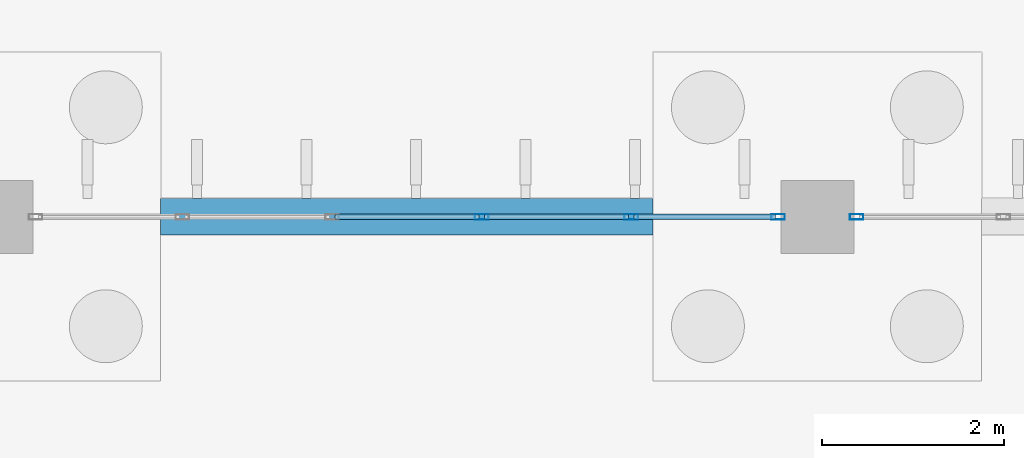
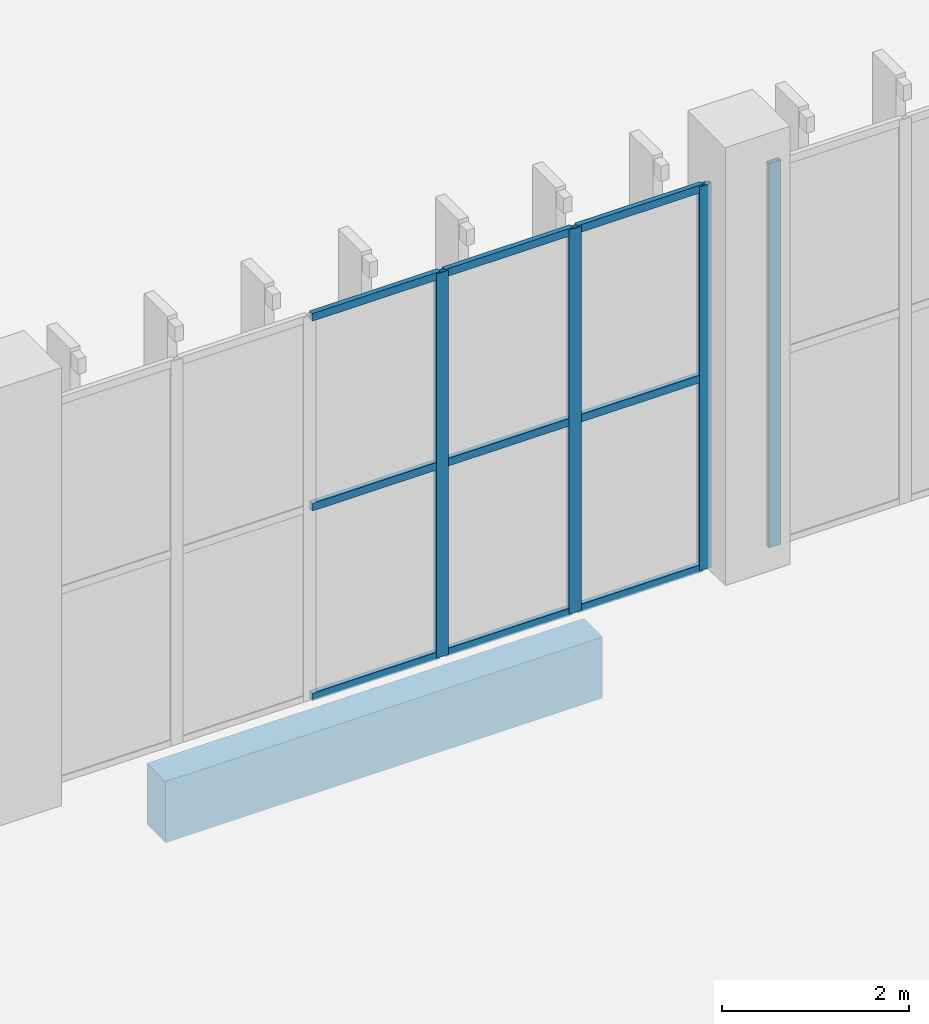
# One storey, part 53 of 198: 13 members, 1 beam, 2 elements without a shape of their own.
"""IFC4 building model written with IfcOpenShell, lengths in metres."""

from ifc_helpers import new_model, si_unit, direction, frame, origin, origin_2d, place, context, subcontext, project, spatial, rectangle, hollow_rectangle, extrude, material, layer, layer_set, material_profile, profile_set, type_object, element, aggregate, save


model = new_model("IFC4")

# Units and contexts
model_context = context("Model", 3, precision=1e-05, world=origin(), true_north=direction((0.0, 1.0)))
body_context = subcontext(model_context, "Body", "Model", "MODEL_VIEW")
ifc_project = project(units=[si_unit("LENGTHUNIT", "METRE"), si_unit("AREAUNIT", "SQUARE_METRE"), si_unit("VOLUMEUNIT", "CUBIC_METRE"), si_unit("PLANEANGLEUNIT", "RADIAN"), si_unit("MASSUNIT", "GRAM", prefix="KILO")], contexts=[model_context])

# Site, building, storey
site_placement = place(None, origin())
site = spatial("IfcSite", under=ifc_project, at=site_placement, CompositionType="ELEMENT")
building_placement = place(site_placement, origin())
building = spatial("IfcBuilding", under=site, at=building_placement, Name="Opaline Strait Convention Centre", CompositionType="ELEMENT")
storey_placement = place(building_placement, origin())
storey = spatial("IfcBuildingStorey", under=building, at=storey_placement, Name="L00", CompositionType="ELEMENT", Elevation=0.0)

# Curtain wall, members
ifc_material_1 = material(Name="Aluminium 6063-T5", Category="aluminium")
ifc_layer = layer(ifc_material_1, 0.199951171875)
ifc_layer_set = layer_set([ifc_layer], Name="Aluminium 6063-T5")
curtain_wall_type = type_object("IfcCurtainWallType", Name="Unitised curtain wall 1640 module", PredefinedType="NOTDEFINED", material=ifc_layer_set)
curtain_wall_1_placement = place(storey_placement, origin())
curtain_wall_1 = element("IfcCurtainWall", 1, at=curtain_wall_1_placement, inside=storey, type_object=curtain_wall_type, Name="Ballroom north curtain wall L00 bay 4", PredefinedType="NOTDEFINED")
ifc_material_2 = material(Name="Aluminium alloy 6063", Category="aluminium")
ifc_material_profile_1 = material_profile(ifc_material_2, hollow_rectangle(XDim=0.06005859375, YDim=0.14990234375, WallThickness=0.00390625, at=origin_2d()), Name="MULLION 60x150x4")
ifc_profile_set_1 = profile_set([ifc_material_profile_1], Name="Aluminium alloy 6063")
member_type_1 = type_object("IfcMemberType", Name="Curtain wall mullion 60 x 150", PredefinedType="MULLION", material=ifc_profile_set_1)
member_1_placement = place(storey_placement, frame((320.320068359375, 72.0, 0.0), z_axis=(0.0, 0.0, 1.0), x_axis=(0.0, 1.0, 0.0)))
member_1 = element("IfcMember", 2, at=member_1_placement, type_object=member_type_1, Name="BG2 mullion 4", PredefinedType="MULLION", context=body_context, shape_type="SweptSolid", body=[
    extrude(hollow_rectangle(XDim=0.06005859375, YDim=0.14990234375, WallThickness=0.00390625, at=origin_2d()), origin(), (0.0, 0.0, 1.0), 5.02001953125),
])
member_2_placement = place(storey_placement, frame((321.9599609375, 72.0, 0.0), z_axis=(0.0, 0.0, 1.0), x_axis=(0.0, 1.0, 0.0)))
member_2 = element("IfcMember", 3, at=member_2_placement, type_object=member_type_1, Name="BG2 mullion 5", PredefinedType="MULLION", context=body_context, shape_type="SweptSolid", body=[
    extrude(hollow_rectangle(XDim=0.06005859375, YDim=0.14990234375, WallThickness=0.00390625, at=origin_2d()), origin(), (0.0, 0.0, 1.0), 5.02001953125),
])
member_3_placement = place(storey_placement, frame((323.570068359375, 72.0, 0.0), z_axis=(0.0, 0.0, 1.0), x_axis=(0.0, 1.0, 0.0)))
member_3 = element("IfcMember", 4, at=member_3_placement, type_object=member_type_1, Name="BG2 mullion 6", PredefinedType="MULLION", context=body_context, shape_type="SweptSolid", body=[
    extrude(hollow_rectangle(XDim=0.06005859375, YDim=0.14990234375, WallThickness=0.00390625, at=origin_2d()), origin(), (0.0, 0.0, 1.0), 5.02001953125),
])

# Curtain wall, member
curtain_wall_2_placement = place(storey_placement, origin())
curtain_wall_2 = element("IfcCurtainWall", 5, at=curtain_wall_2_placement, inside=storey, type_object=curtain_wall_type, Name="Ballroom north curtain wall L00 bay 5", PredefinedType="NOTDEFINED")
member_4_placement = place(storey_placement, frame((324.429931640625, 72.0, 0.0), z_axis=(0.0, 0.0, 1.0), x_axis=(0.0, 1.0, 0.0)))
member_4 = element("IfcMember", 6, at=member_4_placement, type_object=member_type_1, Name="BG2 mullion 1", PredefinedType="MULLION", context=body_context, shape_type="SweptSolid", body=[
    extrude(hollow_rectangle(XDim=0.06005859375, YDim=0.14990234375, WallThickness=0.00390625, at=origin_2d()), origin(), (0.0, 0.0, 1.0), 5.02001953125),
])
aggregate(curtain_wall_2, [member_4])

# Member
ifc_material_profile_2 = material_profile(ifc_material_2, hollow_rectangle(XDim=0.06005859375, YDim=0.10009765625, WallThickness=0.0029296875, at=origin_2d()), Name="TRANSOM 60x100x3")
ifc_profile_set_2 = profile_set([ifc_material_profile_2], Name="Aluminium alloy 6063")
member_type_2 = type_object("IfcMemberType", Name="Curtain wall transom 60 x 100", PredefinedType="USERDEFINED", material=ifc_profile_set_2)
member_5_placement = place(storey_placement, frame((318.7099609375, 72.0, 0.030029296875), z_axis=(1.0, 0.0, 0.0), x_axis=(0.0, 1.0, 0.0)))
member_5 = element("IfcMember", 7, at=member_5_placement, type_object=member_type_2, Name="BG2 transom 3.1", ObjectType="TRANSOM", PredefinedType="USERDEFINED", context=body_context, shape_type="SweptSolid", body=[
    extrude(hollow_rectangle(XDim=0.06005859375, YDim=0.10009765625, WallThickness=0.0029296875, at=origin_2d()), origin(), (0.0, 0.0, 1.0), 1.580078125),
])

member_6_placement = place(storey_placement, frame((318.7099609375, 72.0, 2.510009765625), z_axis=(1.0, 0.0, 0.0), x_axis=(0.0, 1.0, 0.0)))
member_6 = element("IfcMember", 8, at=member_6_placement, type_object=member_type_2, Name="BG2 transom 3.2", ObjectType="TRANSOM", PredefinedType="USERDEFINED", context=body_context, shape_type="SweptSolid", body=[
    extrude(hollow_rectangle(XDim=0.06005859375, YDim=0.10009765625, WallThickness=0.0029296875, at=origin_2d()), origin(), (0.0, 0.0, 1.0), 1.580078125),
])

member_7_placement = place(storey_placement, frame((318.7099609375, 72.0, 4.989990234375), z_axis=(1.0, 0.0, 0.0), x_axis=(0.0, 1.0, 0.0)))
member_7 = element("IfcMember", 9, at=member_7_placement, type_object=member_type_2, Name="BG2 transom 3.3", ObjectType="TRANSOM", PredefinedType="USERDEFINED", context=body_context, shape_type="SweptSolid", body=[
    extrude(hollow_rectangle(XDim=0.06005859375, YDim=0.10009765625, WallThickness=0.0029296875, at=origin_2d()), origin(), (0.0, 0.0, 1.0), 1.580078125),
])

member_8_placement = place(storey_placement, frame((320.35009765625, 72.0, 0.030029296875), z_axis=(1.0, 0.0, 0.0), x_axis=(0.0, 1.0, 0.0)))
member_8 = element("IfcMember", 10, at=member_8_placement, type_object=member_type_2, Name="BG2 transom 4.1", ObjectType="TRANSOM", PredefinedType="USERDEFINED", context=body_context, shape_type="SweptSolid", body=[
    extrude(hollow_rectangle(XDim=0.06005859375, YDim=0.10009765625, WallThickness=0.0029296875, at=origin_2d()), origin(), (0.0, 0.0, 1.0), 1.580078125),
])

member_9_placement = place(storey_placement, frame((320.35009765625, 72.0, 2.510009765625), z_axis=(1.0, 0.0, 0.0), x_axis=(0.0, 1.0, 0.0)))
member_9 = element("IfcMember", 11, at=member_9_placement, type_object=member_type_2, Name="BG2 transom 4.2", ObjectType="TRANSOM", PredefinedType="USERDEFINED", context=body_context, shape_type="SweptSolid", body=[
    extrude(hollow_rectangle(XDim=0.06005859375, YDim=0.10009765625, WallThickness=0.0029296875, at=origin_2d()), origin(), (0.0, 0.0, 1.0), 1.580078125),
])

member_10_placement = place(storey_placement, frame((320.35009765625, 72.0, 4.989990234375), z_axis=(1.0, 0.0, 0.0), x_axis=(0.0, 1.0, 0.0)))
member_10 = element("IfcMember", 12, at=member_10_placement, type_object=member_type_2, Name="BG2 transom 4.3", ObjectType="TRANSOM", PredefinedType="USERDEFINED", context=body_context, shape_type="SweptSolid", body=[
    extrude(hollow_rectangle(XDim=0.06005859375, YDim=0.10009765625, WallThickness=0.0029296875, at=origin_2d()), origin(), (0.0, 0.0, 1.0), 1.580078125),
])

member_11_placement = place(storey_placement, frame((321.989990234375, 72.0, 0.030029296875), z_axis=(1.0, 0.0, 0.0), x_axis=(0.0, 1.0, 0.0)))
member_11 = element("IfcMember", 13, at=member_11_placement, type_object=member_type_2, Name="BG2 transom 5.1", ObjectType="TRANSOM", PredefinedType="USERDEFINED", context=body_context, shape_type="SweptSolid", body=[
    extrude(hollow_rectangle(XDim=0.06005859375, YDim=0.10009765625, WallThickness=0.0029296875, at=origin_2d()), origin(), (0.0, 0.0, 1.0), 1.550048828125),
])

member_12_placement = place(storey_placement, frame((321.989990234375, 72.0, 2.510009765625), z_axis=(1.0, 0.0, 0.0), x_axis=(0.0, 1.0, 0.0)))
member_12 = element("IfcMember", 14, at=member_12_placement, type_object=member_type_2, Name="BG2 transom 5.2", ObjectType="TRANSOM", PredefinedType="USERDEFINED", context=body_context, shape_type="SweptSolid", body=[
    extrude(hollow_rectangle(XDim=0.06005859375, YDim=0.10009765625, WallThickness=0.0029296875, at=origin_2d()), origin(), (0.0, 0.0, 1.0), 1.550048828125),
])

member_13_placement = place(storey_placement, frame((321.989990234375, 72.0, 4.989990234375), z_axis=(1.0, 0.0, 0.0), x_axis=(0.0, 1.0, 0.0)))
member_13 = element("IfcMember", 15, at=member_13_placement, type_object=member_type_2, Name="BG2 transom 5.3", ObjectType="TRANSOM", PredefinedType="USERDEFINED", context=body_context, shape_type="SweptSolid", body=[
    extrude(hollow_rectangle(XDim=0.06005859375, YDim=0.10009765625, WallThickness=0.0029296875, at=origin_2d()), origin(), (0.0, 0.0, 1.0), 1.550048828125),
])

aggregate(curtain_wall_1, [member_1, member_2, member_3, member_5, member_6, member_7, member_8, member_9, member_10, member_11, member_12, member_13])

# Beam
ifc_material_3 = material(Name="Concrete C35", Category="concrete")
ifc_material_profile_3 = material_profile(ifc_material_3, rectangle(XDim=0.39990234375, YDim=0.800048828125, at=origin_2d()), Name="RC 400x800")
ifc_profile_set_3 = profile_set([ifc_material_profile_3], Name="Concrete C35")
beam_type = type_object("IfcBeamType", Name="Ground beam 400x800 C35", PredefinedType="BEAM", material=ifc_profile_set_3)
beam_placement = place(storey_placement, frame((316.800048828125, 72.0, -0.699951171875), z_axis=(1.0, 0.0, 0.0), x_axis=(0.0, 1.0, 0.0)))
element("IfcBeam", 16, at=beam_placement, inside=storey, type_object=beam_type, Name="BG1 ground beam 36/J-37/J", PredefinedType="BEAM", context=body_context, shape_type="SweptSolid", body=[
    extrude(rectangle(XDim=0.39990234375, YDim=0.800048828125, at=origin_2d()), origin(), (0.0, 0.0, 1.0), 5.39990234375),
])

save(model, "model.ifc")
